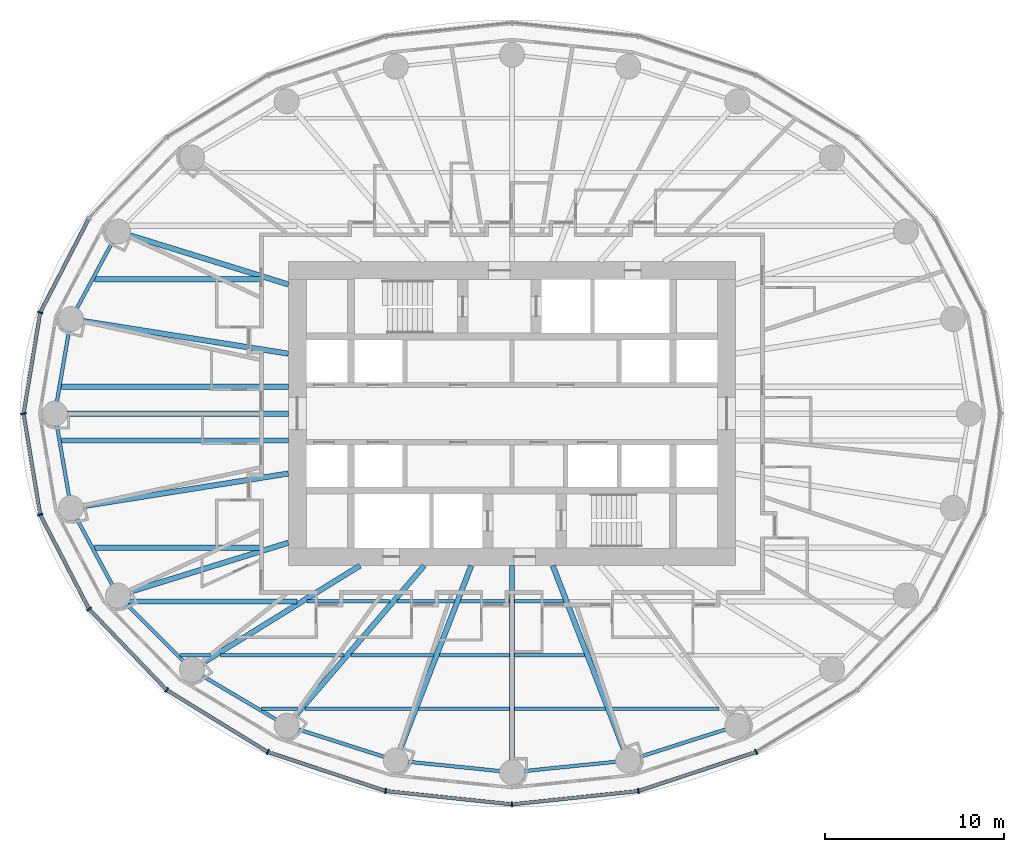
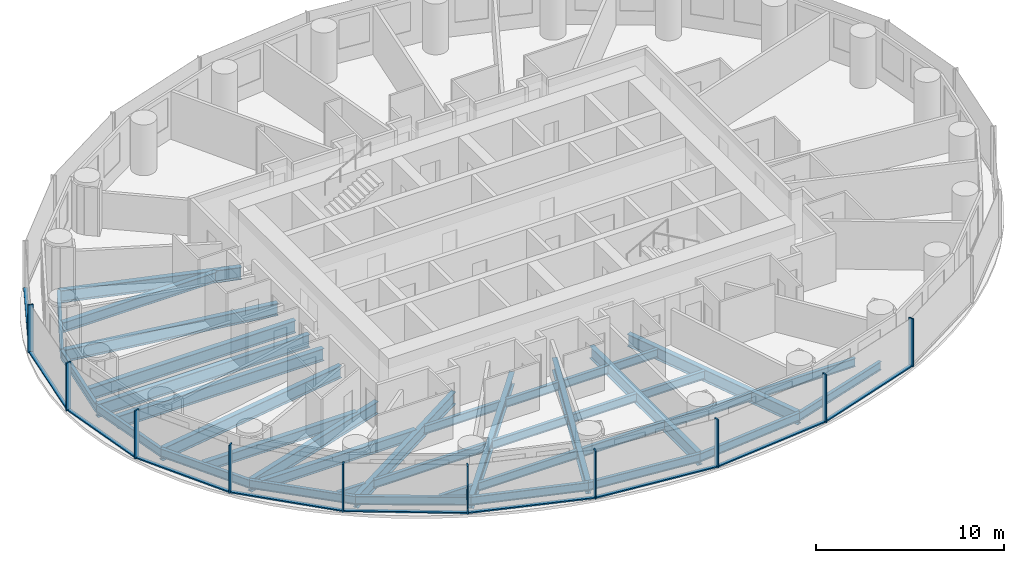
# One storey, part 2 of 14: 39 beams, 20 members, 3 elements without a shape of their own.
"""IFC4 building model written with IfcOpenShell, lengths in metres."""

from ifc_helpers import new_model, si_unit, direction, frame, origin, origin_2d, place, context, subcontext, project, spatial, rectangle, i_section, extrude, material, material_profile, profile_set, type_object, element, aggregate, save


model = new_model("IFC4")

# Units and contexts
model_context = context("Model", 3, precision=1e-05, world=origin(), true_north=direction((0.0, 1.0)))
body_context = subcontext(model_context, "Body", "Model", "MODEL_VIEW")
ifc_project = project(units=[si_unit("LENGTHUNIT", "METRE"), si_unit("AREAUNIT", "SQUARE_METRE"), si_unit("VOLUMEUNIT", "CUBIC_METRE"), si_unit("PLANEANGLEUNIT", "RADIAN"), si_unit("MASSUNIT", "GRAM", prefix="KILO")], contexts=[model_context])

# Site, building, storey
site_placement = place(None, origin())
site = spatial("IfcSite", under=ifc_project, at=site_placement, CompositionType="ELEMENT")
building_placement = place(site_placement, origin())
building = spatial("IfcBuilding", under=site, at=building_placement, Name="Hankou Lantern Tower", CompositionType="ELEMENT")
storey_placement = place(building_placement, frame((0.0, 0.0, 54.0)))
storey = spatial("IfcBuildingStorey", under=building, at=storey_placement, Name="L12", CompositionType="ELEMENT", Elevation=54.0)

# Beams
ifc_material_1 = material(Name="Steel Q355B", Category="steel")
ifc_material_profile_1 = material_profile(ifc_material_1, i_section(OverallWidth=0.199951171875, OverallDepth=0.550048828125, WebThickness=0.010009765625, FlangeThickness=0.01611328125, FilletRadius=0.012939453125, at=origin_2d()), Name="HN550x200x10x16")
ifc_profile_set_1 = profile_set([ifc_material_profile_1], Name="Steel Q355B")
beam_type_1 = type_object("IfcBeamType", Name="EB6 RING BEAM HN550x200x10x16", PredefinedType="SPANDREL", material=ifc_profile_set_1)
beam_1_placement = place(storey_placement, frame((-22.01904296875, 10.170166015625, -0.455078125), z_axis=(-0.473609096023, -0.880735161194, 0.0), x_axis=(0.880735161194, -0.473609096023, 0.0)))
element("IfcBeam", 1, at=beam_1_placement, inside=storey, type_object=beam_type_1, Name="Ring beam R11-R12 L12", PredefinedType="SPANDREL", context=body_context, shape_type="SweptSolid", body=[
    extrude(i_section(OverallWidth=0.199951171875, OverallDepth=0.550048828125, WebThickness=0.010009765625, FlangeThickness=0.01611328125, FilletRadius=0.012939453125, at=origin_2d()), origin(), (0.0, 0.0, 1.0), 5.548828125),
])
for number, where, z_axis, x_axis, name in (
    (2, (-24.64697265625, 5.283203125, -0.455078125), (-0.168489691988, -0.985703415685, 0.0), (0.985703415685, -0.168489691988, 0.0), "Ring beam R12-R13 L12"),
    (3, (-25.550048828125, 0.0, -0.455078125), (0.168489691988, -0.985703415685, 0.0), (0.985703415685, 0.168489691988, 0.0), "Ring beam R13-R14 L12"),
):
    element("IfcBeam", number, at=place(storey_placement, frame(where, z_axis=z_axis, x_axis=x_axis)), inside=storey, type_object=beam_type_1, Name=name, PredefinedType="SPANDREL", context=body_context, shape_type="SweptSolid", body=[
        extrude(i_section(OverallWidth=0.199951171875, OverallDepth=0.550048828125, WebThickness=0.010009765625, FlangeThickness=0.01611328125, FilletRadius=0.012939453125, at=origin_2d()), origin(), (0.0, 0.0, 1.0), 5.35986328125),
    ])
beam_2_placement = place(storey_placement, frame((-24.64697265625, -5.283203125, -0.455078125), z_axis=(0.473609096023, -0.880735161194, 0.0), x_axis=(0.880735161194, 0.473609096023, 0.0)))
element("IfcBeam", 4, at=beam_2_placement, inside=storey, type_object=beam_type_1, Name="Ring beam R14-R15 L12", PredefinedType="SPANDREL", context=body_context, shape_type="SweptSolid", body=[
    extrude(i_section(OverallWidth=0.199951171875, OverallDepth=0.550048828125, WebThickness=0.010009765625, FlangeThickness=0.01611328125, FilletRadius=0.012939453125, at=origin_2d()), origin(), (0.0, 0.0, 1.0), 5.548828125),
])
beam_3_placement = place(storey_placement, frame((-22.01904296875, -10.170166015625, -0.455078125), z_axis=(0.705727798394, -0.708483079949, 0.0), x_axis=(0.708483079949, 0.705727798394, 0.0)))
element("IfcBeam", 5, at=beam_3_placement, inside=storey, type_object=beam_type_1, Name="Ring beam R15-R16 L12", PredefinedType="SPANDREL", context=body_context, shape_type="SweptSolid", body=[
    extrude(i_section(OverallWidth=0.199951171875, OverallDepth=0.550048828125, WebThickness=0.010009765625, FlangeThickness=0.01611328125, FilletRadius=0.012939453125, at=origin_2d()), origin(), (0.0, 0.0, 1.0), 5.84814453125),
])
beam_4_placement = place(storey_placement, frame((-17.891845703125, -14.3134765625, -0.455078125), z_axis=(0.860881533543, -0.508805449268, 0.0), x_axis=(0.508805449268, 0.860881533543, 0.0)))
element("IfcBeam", 6, at=beam_4_placement, inside=storey, type_object=beam_type_1, Name="Ring beam R16-R17 L12", PredefinedType="SPANDREL", context=body_context, shape_type="SweptSolid", body=[
    extrude(i_section(OverallWidth=0.199951171875, OverallDepth=0.550048828125, WebThickness=0.010009765625, FlangeThickness=0.01611328125, FilletRadius=0.012939453125, at=origin_2d()), origin(), (0.0, 0.0, 1.0), 6.15771484375),
])
beam_5_placement = place(storey_placement, frame((-12.5908203125, -17.446533203125, -0.455078125), z_axis=(0.952690479428, -0.303942182671, 0.0), x_axis=(0.303942182671, 0.952690479428, 0.0)))
element("IfcBeam", 7, at=beam_5_placement, inside=storey, type_object=beam_type_1, Name="Ring beam R17-R18 L12", PredefinedType="SPANDREL", context=body_context, shape_type="SweptSolid", body=[
    extrude(i_section(OverallWidth=0.199951171875, OverallDepth=0.550048828125, WebThickness=0.010009765625, FlangeThickness=0.01611328125, FilletRadius=0.012939453125, at=origin_2d()), origin(), (0.0, 0.0, 1.0), 6.398681640625),
])
for number, where, z_axis, x_axis, name in (
    (8, (-6.494873046875, -19.391357421875, -0.455078125), (0.994896616842, -0.100899562915, 0.0), (0.100899562915, 0.994896616842, 0.0), "Ring beam R18-R19 L12"),
    (9, (0.0, -20.050048828125, -0.455078125), (0.994896616842, 0.100899562915, 0.0), (-0.100899562915, 0.994896616842, 0.0), "Ring beam R19-R20 L12"),
):
    element("IfcBeam", number, at=place(storey_placement, frame(where, z_axis=z_axis, x_axis=x_axis)), inside=storey, type_object=beam_type_1, Name=name, PredefinedType="SPANDREL", context=body_context, shape_type="SweptSolid", body=[
        extrude(i_section(OverallWidth=0.199951171875, OverallDepth=0.550048828125, WebThickness=0.010009765625, FlangeThickness=0.01611328125, FilletRadius=0.012939453125, at=origin_2d()), origin(), (0.0, 0.0, 1.0), 6.528076171875),
    ])
beam_6_placement = place(storey_placement, frame((6.494873046875, -19.391357421875, -0.455078125), z_axis=(0.952690479428, 0.303942182671, 0.0), x_axis=(-0.303942182671, 0.952690479428, 0.0)))
element("IfcBeam", 10, at=beam_6_placement, inside=storey, type_object=beam_type_1, Name="Ring beam R20-R21 L12", PredefinedType="SPANDREL", context=body_context, shape_type="SweptSolid", body=[
    extrude(i_section(OverallWidth=0.199951171875, OverallDepth=0.550048828125, WebThickness=0.010009765625, FlangeThickness=0.01611328125, FilletRadius=0.012939453125, at=origin_2d()), origin(), (0.0, 0.0, 1.0), 6.398681640625),
])

# Curtain wall, member
ifc_material_2 = material(Name="Glass, dark grey tinted laminated", Category="glass")
curtain_wall_type = type_object("IfcCurtainWallType", Name="CWA OUTER SKIN LOW-RISE", PredefinedType="USERDEFINED", material=ifc_material_2)
curtain_wall_1_placement = place(storey_placement, origin())
curtain_wall_1 = element("IfcCurtainWall", 11, at=curtain_wall_1_placement, inside=storey, type_object=curtain_wall_type, Name="CWA L12 OS2", ObjectType="OUTER SKIN LOW-RISE", PredefinedType="USERDEFINED")
ifc_material_3 = material(Name="Aluminium, black anodised", Category="aluminium")
ifc_material_profile_2 = material_profile(ifc_material_3, rectangle(XDim=0.080078125, YDim=0.300048828125, at=origin_2d()), Name="MU1 80X300")
ifc_profile_set_2 = profile_set([ifc_material_profile_2], Name="Aluminium, black anodised")
member_type_1 = type_object("IfcMemberType", Name="MU1 OUTER SKIN MULLION 80X300", PredefinedType="MULLION", material=ifc_profile_set_2)
member_1_placement = place(storey_placement, frame((-26.369873046875, 5.652587890625, 0.0), z_axis=(0.0, 0.0, 1.0), x_axis=(-0.317595577365, -0.94822626479, 0.0)))
member_1 = element("IfcMember", 12, at=member_1_placement, type_object=member_type_1, Name="CWA mullion 6", PredefinedType="MULLION", context=body_context, shape_type="SweptSolid", body=[
    extrude(rectangle(XDim=0.080078125, YDim=0.300048828125, at=origin_2d()), origin(), (0.0, 0.0, 1.0), 3.1201171875),
])

# Curtain wall, members
curtain_wall_2_placement = place(storey_placement, origin())
curtain_wall_2 = element("IfcCurtainWall", 13, at=curtain_wall_2_placement, inside=storey, type_object=curtain_wall_type, Name="CWA L12 OS3", ObjectType="OUTER SKIN LOW-RISE", PredefinedType="USERDEFINED")
member_2_placement = place(storey_placement, frame((-27.300048828125, 0.0, 0.0), z_axis=(0.0, 0.0, 1.0), x_axis=(0.162381515188, -0.986728049427, 0.0)))
member_2 = element("IfcMember", 14, at=member_2_placement, type_object=member_type_1, Name="CWA mullion 1", PredefinedType="MULLION", context=body_context, shape_type="SweptSolid", body=[
    extrude(rectangle(XDim=0.080078125, YDim=0.300048828125, at=origin_2d()), origin(), (0.0, 0.0, 1.0), 3.1201171875),
])
member_3_placement = place(storey_placement, frame((-26.369873046875, -5.652587890625, 0.0), z_axis=(0.0, 0.0, 1.0), x_axis=(0.317595577365, -0.94822626479, 0.0)))
member_3 = element("IfcMember", 15, at=member_3_placement, type_object=member_type_1, Name="CWA mullion 2", PredefinedType="MULLION", context=body_context, shape_type="SweptSolid", body=[
    extrude(rectangle(XDim=0.080078125, YDim=0.300048828125, at=origin_2d()), origin(), (0.0, 0.0, 1.0), 3.1201171875),
])
member_4_placement = place(storey_placement, frame((-23.642578125, -10.919921875, 0.0), z_axis=(0.0, 0.0, 1.0), x_axis=(0.585205735974, -0.810884854084, 0.0)))
member_4 = element("IfcMember", 16, at=member_4_placement, type_object=member_type_1, Name="CWA mullion 3", PredefinedType="MULLION", context=body_context, shape_type="SweptSolid", body=[
    extrude(rectangle(XDim=0.080078125, YDim=0.300048828125, at=origin_2d()), origin(), (0.0, 0.0, 1.0), 3.1201171875),
])
member_5_placement = place(storey_placement, frame((-19.303955078125, -15.443115234375, 0.0), z_axis=(0.0, 0.0, 1.0), x_axis=(0.780868809444, -0.624695047553, 0.0)))
member_5 = element("IfcMember", 17, at=member_5_placement, type_object=member_type_1, Name="CWA mullion 4", PredefinedType="MULLION", context=body_context, shape_type="SweptSolid", body=[
    extrude(rectangle(XDim=0.080078125, YDim=0.300048828125, at=origin_2d()), origin(), (0.0, 0.0, 1.0), 3.1201171875),
])
member_6_placement = place(storey_placement, frame((-13.64990234375, -18.9140625, 0.0), z_axis=(0.0, 0.0, 1.0), x_axis=(0.907841299004, -0.419313934686, 0.0)))
member_6 = element("IfcMember", 18, at=member_6_placement, type_object=member_type_1, Name="CWA mullion 5", PredefinedType="MULLION", context=body_context, shape_type="SweptSolid", body=[
    extrude(rectangle(XDim=0.080078125, YDim=0.300048828125, at=origin_2d()), origin(), (0.0, 0.0, 1.0), 3.1201171875),
])
member_7_placement = place(storey_placement, frame((-7.065673828125, -21.095703125, 0.0), z_axis=(0.0, 0.0, 1.0), x_axis=(0.977787659625, -0.209597931016, 0.0)))
member_7 = element("IfcMember", 19, at=member_7_placement, type_object=member_type_1, Name="CWA mullion 6", PredefinedType="MULLION", context=body_context, shape_type="SweptSolid", body=[
    extrude(rectangle(XDim=0.080078125, YDim=0.300048828125, at=origin_2d()), origin(), (0.0, 0.0, 1.0), 3.1201171875),
])

curtain_wall_3_placement = place(storey_placement, origin())
curtain_wall_3 = element("IfcCurtainWall", 20, at=curtain_wall_3_placement, inside=storey, type_object=curtain_wall_type, Name="CWA L12 OS4", ObjectType="OUTER SKIN LOW-RISE", PredefinedType="USERDEFINED")
member_8_placement = place(storey_placement, frame((0.0, -21.840087890625, 0.0), z_axis=(0.0, 0.0, 1.0), x_axis=(0.994499359107, 0.104742659579, 0.0)))
member_8 = element("IfcMember", 21, at=member_8_placement, type_object=member_type_1, Name="CWA mullion 1", PredefinedType="MULLION", context=body_context, shape_type="SweptSolid", body=[
    extrude(rectangle(XDim=0.080078125, YDim=0.300048828125, at=origin_2d()), origin(), (0.0, 0.0, 1.0), 3.1201171875),
])
member_9_placement = place(storey_placement, frame((7.065673828125, -21.095703125, 0.0), z_axis=(0.0, 0.0, 1.0), x_axis=(0.977787659625, 0.209597931016, 0.0)))
member_9 = element("IfcMember", 22, at=member_9_placement, type_object=member_type_1, Name="CWA mullion 2", PredefinedType="MULLION", context=body_context, shape_type="SweptSolid", body=[
    extrude(rectangle(XDim=0.080078125, YDim=0.300048828125, at=origin_2d()), origin(), (0.0, 0.0, 1.0), 3.1201171875),
])
member_10_placement = place(storey_placement, frame((13.64990234375, -18.9140625, 0.0), z_axis=(0.0, 0.0, 1.0), x_axis=(0.907841299004, 0.419313934686, 0.0)))
member_10 = element("IfcMember", 23, at=member_10_placement, type_object=member_type_1, Name="CWA mullion 3", PredefinedType="MULLION", context=body_context, shape_type="SweptSolid", body=[
    extrude(rectangle(XDim=0.080078125, YDim=0.300048828125, at=origin_2d()), origin(), (0.0, 0.0, 1.0), 3.1201171875),
])

# Beams
ifc_material_4 = material(Name="Steel Q355B", Category="steel")
ifc_material_profile_3 = material_profile(ifc_material_4, i_section(OverallWidth=0.300048828125, OverallDepth=0.800048828125, WebThickness=0.013916015625, FlangeThickness=0.02587890625, FilletRadius=0.01806640625, at=origin_2d()), Name="HN800x300x14x26")
ifc_profile_set_3 = profile_set([ifc_material_profile_3], Name="Steel Q355B")
beam_type_2 = type_object("IfcBeamType", Name="RB11 RADIAL BEAM HN800x300x14x26", PredefinedType="BEAM", material=ifc_profile_set_3)
beam_7_placement = place(storey_placement, frame((-12.5, 7.216796875, -0.580078125), z_axis=(-0.955087327755, 0.29632447817, 0.0), x_axis=(-0.29632447817, -0.955087327755, 0.0)))
element("IfcBeam", 24, at=beam_7_placement, inside=storey, type_object=beam_type_2, Name="Radial beam R11 L12", PredefinedType="BEAM", context=body_context, shape_type="SweptSolid", body=[
    extrude(i_section(OverallWidth=0.300048828125, OverallDepth=0.800048828125, WebThickness=0.013916015625, FlangeThickness=0.02587890625, FilletRadius=0.01806640625, at=origin_2d()), origin(), (0.0, 0.0, 1.0), 9.966552734375),
])
for number, where, z_axis, x_axis, name in (
    (25, (-12.5, 3.349365234375, -0.580078125), (-0.987563081343, 0.157223281893, 0.0), (-0.157223281893, -0.987563081343, 0.0), "Radial beam R12 L12"),
    (26, (-12.5, -3.349365234375, -0.580078125), (-0.987563081343, -0.157223281893, 0.0), (0.157223281893, -0.987563081343, 0.0), "Radial beam R14 L12"),
):
    element("IfcBeam", number, at=place(storey_placement, frame(where, z_axis=z_axis, x_axis=x_axis)), inside=storey, type_object=beam_type_2, Name=name, PredefinedType="BEAM", context=body_context, shape_type="SweptSolid", body=[
        extrude(i_section(OverallWidth=0.300048828125, OverallDepth=0.800048828125, WebThickness=0.013916015625, FlangeThickness=0.02587890625, FilletRadius=0.01806640625, at=origin_2d()), origin(), (0.0, 0.0, 1.0), 12.300048828125),
    ])
beam_8_placement = place(storey_placement, frame((-12.5, -7.216796875, -0.580078125), z_axis=(-0.955087327755, -0.29632447817, 0.0), x_axis=(0.29632447817, -0.955087327755, 0.0)))
element("IfcBeam", 27, at=beam_8_placement, inside=storey, type_object=beam_type_2, Name="Radial beam R15 L12", PredefinedType="BEAM", context=body_context, shape_type="SweptSolid", body=[
    extrude(i_section(OverallWidth=0.300048828125, OverallDepth=0.800048828125, WebThickness=0.013916015625, FlangeThickness=0.02587890625, FilletRadius=0.01806640625, at=origin_2d()), origin(), (0.0, 0.0, 1.0), 9.966552734375),
])
beam_9_placement = place(storey_placement, frame((-8.5, -8.5, -0.580078125), z_axis=(-0.850286343288, -0.526320372414, 0.0), x_axis=(0.526320372414, -0.850286343288, 0.0)))
element("IfcBeam", 28, at=beam_9_placement, inside=storey, type_object=beam_type_2, Name="Radial beam R16 L12", PredefinedType="BEAM", context=body_context, shape_type="SweptSolid", body=[
    extrude(i_section(OverallWidth=0.300048828125, OverallDepth=0.800048828125, WebThickness=0.013916015625, FlangeThickness=0.02587890625, FilletRadius=0.01806640625, at=origin_2d()), origin(), (0.0, 0.0, 1.0), 11.04541015625),
])
beam_10_placement = place(storey_placement, frame((-4.907470703125, -8.5, -0.580078125), z_axis=(-0.651519061225, -0.758632264579, 0.0), x_axis=(0.758632264579, -0.651519061225, 0.0)))
element("IfcBeam", 29, at=beam_10_placement, inside=storey, type_object=beam_type_2, Name="Radial beam R17 L12", PredefinedType="BEAM", context=body_context, shape_type="SweptSolid", body=[
    extrude(i_section(OverallWidth=0.300048828125, OverallDepth=0.800048828125, WebThickness=0.013916015625, FlangeThickness=0.02587890625, FilletRadius=0.01806640625, at=origin_2d()), origin(), (0.0, 0.0, 1.0), 11.79296875),
])
beam_11_placement = place(storey_placement, frame((-2.277587890625, -8.5, -0.580078125), z_axis=(-0.361089103374, -0.932531318201, 0.0), x_axis=(0.932531318201, -0.361089103374, 0.0)))
element("IfcBeam", 30, at=beam_11_placement, inside=storey, type_object=beam_type_2, Name="Radial beam R18 L12", PredefinedType="BEAM", context=body_context, shape_type="SweptSolid", body=[
    extrude(i_section(OverallWidth=0.300048828125, OverallDepth=0.800048828125, WebThickness=0.013916015625, FlangeThickness=0.02587890625, FilletRadius=0.01806640625, at=origin_2d()), origin(), (0.0, 0.0, 1.0), 11.679443359375),
])
beam_12_placement = place(storey_placement, frame((0.0, -8.5, -0.580078125), z_axis=(0.0, -1.0, 0.0), x_axis=(1.0, 0.0, 0.0)))
element("IfcBeam", 31, at=beam_12_placement, inside=storey, type_object=beam_type_2, Name="Radial beam R19 L12", PredefinedType="BEAM", context=body_context, shape_type="SweptSolid", body=[
    extrude(i_section(OverallWidth=0.300048828125, OverallDepth=0.800048828125, WebThickness=0.013916015625, FlangeThickness=0.02587890625, FilletRadius=0.01806640625, at=origin_2d()), origin(), (0.0, 0.0, 1.0), 11.550048828125),
])
beam_13_placement = place(storey_placement, frame((2.277587890625, -8.5, -0.580078125), z_axis=(0.361089103374, -0.932531318201, 0.0), x_axis=(0.932531318201, 0.361089103374, 0.0)))
element("IfcBeam", 32, at=beam_13_placement, inside=storey, type_object=beam_type_2, Name="Radial beam R20 L12", PredefinedType="BEAM", context=body_context, shape_type="SweptSolid", body=[
    extrude(i_section(OverallWidth=0.300048828125, OverallDepth=0.800048828125, WebThickness=0.013916015625, FlangeThickness=0.02587890625, FilletRadius=0.01806640625, at=origin_2d()), origin(), (0.0, 0.0, 1.0), 11.679443359375),
])
ifc_material_5 = material(Name="Steel Q355B", Category="steel")
ifc_material_profile_4 = material_profile(ifc_material_5, i_section(OverallWidth=0.300048828125, OverallDepth=0.85009765625, WebThickness=0.01611328125, FlangeThickness=0.027099609375, FilletRadius=0.01806640625, at=origin_2d()), Name="HN850x300x16x27")
ifc_profile_set_4 = profile_set([ifc_material_profile_4], Name="Steel Q355B")
beam_type_3 = type_object("IfcBeamType", Name="RB12 RADIAL BEAM HN850x300x16x27", PredefinedType="BEAM", material=ifc_profile_set_4)
beam_14_placement = place(storey_placement, frame((-12.5, 0.0, -0.60498046875), z_axis=(-1.0, 0.0, 0.0), x_axis=(0.0, -1.0, 0.0)))
element("IfcBeam", 33, at=beam_14_placement, inside=storey, type_object=beam_type_3, Name="Radial beam R13 L12", PredefinedType="BEAM", context=body_context, shape_type="SweptSolid", body=[
    extrude(i_section(OverallWidth=0.300048828125, OverallDepth=0.85009765625, WebThickness=0.01611328125, FlangeThickness=0.027099609375, FilletRadius=0.01806640625, at=origin_2d()), origin(), (0.0, 0.0, 1.0), 13.050048828125),
])
ifc_material_6 = material(Name="Steel Q355B", Category="steel")
ifc_material_profile_5 = material_profile(ifc_material_6, i_section(OverallWidth=0.300048828125, OverallDepth=0.800048828125, WebThickness=0.013916015625, FlangeThickness=0.02587890625, FilletRadius=0.01806640625, at=origin_2d()), Name="HN800x300x14x26")
ifc_profile_set_5 = profile_set([ifc_material_profile_5], Name="Steel Q355B")
beam_type_4 = type_object("IfcBeamType", Name="SB11 SECONDARY BEAM HN800x300x14x26", PredefinedType="JOIST", material=ifc_profile_set_5)
for number, where, z_axis, x_axis, name in (
    (34, (-25.192138671875, -1.5, -0.580078125), (1.0, 0.0, 0.0), (0.0, 1.0, 0.0), "Floor joist J029 L12"),
    (35, (-25.192138671875, 1.5, -0.580078125), (1.0, 0.0, 0.0), (0.0, 1.0, 0.0), "Floor joist J031 L12"),
):
    element("IfcBeam", number, at=place(storey_placement, frame(where, z_axis=z_axis, x_axis=x_axis)), inside=storey, type_object=beam_type_4, Name=name, PredefinedType="JOIST", context=body_context, shape_type="SweptSolid", body=[
        extrude(i_section(OverallWidth=0.300048828125, OverallDepth=0.800048828125, WebThickness=0.013916015625, FlangeThickness=0.02587890625, FilletRadius=0.01806640625, at=origin_2d()), origin(), (0.0, 0.0, 1.0), 12.692138671875),
    ])
ifc_material_7 = material(Name="Steel Q355B", Category="steel")
ifc_material_profile_6 = material_profile(ifc_material_7, i_section(OverallWidth=0.199951171875, OverallDepth=0.550048828125, WebThickness=0.010009765625, FlangeThickness=0.01611328125, FilletRadius=0.012939453125, at=origin_2d()), Name="HN550x200x10x16")
ifc_profile_set_6 = profile_set([ifc_material_profile_6], Name="Steel Q355B")
beam_type_5 = type_object("IfcBeamType", Name="SB6 SECONDARY BEAM HN550x200x10x16", PredefinedType="JOIST", material=ifc_profile_set_6)
beam_15_placement = place(storey_placement, frame((-13.99560546875, -16.5, -0.455078125), z_axis=(1.0, 0.0, 0.0), x_axis=(0.0, 1.0, 0.0)))
element("IfcBeam", 36, at=beam_15_placement, inside=storey, type_object=beam_type_5, Name="Floor joist J001 L12", PredefinedType="JOIST", context=body_context, shape_type="SweptSolid", body=[
    extrude(i_section(OverallWidth=0.199951171875, OverallDepth=0.550048828125, WebThickness=0.010009765625, FlangeThickness=0.01611328125, FilletRadius=0.012939453125, at=origin_2d()), origin(), (0.0, 0.0, 1.0), 2.019775390625),
])
beam_16_placement = place(storey_placement, frame((-11.580322265625, -16.5, -0.455078125), z_axis=(1.0, 0.0, 0.0), x_axis=(0.0, 1.0, 0.0)))
element("IfcBeam", 37, at=beam_16_placement, inside=storey, type_object=beam_type_5, Name="Floor joist J002 L12", PredefinedType="JOIST", context=body_context, shape_type="SweptSolid", body=[
    extrude(i_section(OverallWidth=0.199951171875, OverallDepth=0.550048828125, WebThickness=0.010009765625, FlangeThickness=0.01611328125, FilletRadius=0.012939453125, at=origin_2d()), origin(), (0.0, 0.0, 1.0), 6.044189453125),
])
for number, where, z_axis, x_axis, name in (
    (38, (-5.21435546875, -16.5, -0.455078125), (1.0, 0.0, 0.0), (0.0, 1.0, 0.0), "Floor joist J003 L12"),
    (39, (0.14990234375, -16.5, -0.455078125), (1.0, 0.0, 0.0), (0.0, 1.0, 0.0), "Floor joist J004 L12"),
):
    element("IfcBeam", number, at=place(storey_placement, frame(where, z_axis=z_axis, x_axis=x_axis)), inside=storey, type_object=beam_type_5, Name=name, PredefinedType="JOIST", context=body_context, shape_type="SweptSolid", body=[
        extrude(i_section(OverallWidth=0.199951171875, OverallDepth=0.550048828125, WebThickness=0.010009765625, FlangeThickness=0.01611328125, FilletRadius=0.012939453125, at=origin_2d()), origin(), (0.0, 0.0, 1.0), 5.064453125),
    ])
beam_17_placement = place(storey_placement, frame((5.5361328125, -16.5, -0.455078125), z_axis=(1.0, 0.0, 0.0), x_axis=(0.0, 1.0, 0.0)))
element("IfcBeam", 40, at=beam_17_placement, inside=storey, type_object=beam_type_5, Name="Floor joist J005 L12", PredefinedType="JOIST", context=body_context, shape_type="SweptSolid", body=[
    extrude(i_section(OverallWidth=0.199951171875, OverallDepth=0.550048828125, WebThickness=0.010009765625, FlangeThickness=0.01611328125, FilletRadius=0.012939453125, at=origin_2d()), origin(), (0.0, 0.0, 1.0), 6.044189453125),
])
beam_18_placement = place(storey_placement, frame((-18.560791015625, -13.5, -0.455078125), z_axis=(1.0, 0.0, 0.0), x_axis=(0.0, 1.0, 0.0)))
element("IfcBeam", 41, at=beam_18_placement, inside=storey, type_object=beam_type_5, Name="Floor joist J007 L12", PredefinedType="JOIST", context=body_context, shape_type="SweptSolid", body=[
    extrude(i_section(OverallWidth=0.199951171875, OverallDepth=0.550048828125, WebThickness=0.010009765625, FlangeThickness=0.01611328125, FilletRadius=0.012939453125, at=origin_2d()), origin(), (0.0, 0.0, 1.0), 1.697998046875),
])
beam_19_placement = place(storey_placement, frame((-16.292724609375, -13.5, -0.455078125), z_axis=(1.0, 0.0, 0.0), x_axis=(0.0, 1.0, 0.0)))
element("IfcBeam", 42, at=beam_19_placement, inside=storey, type_object=beam_type_5, Name="Floor joist J008 L12", PredefinedType="JOIST", context=body_context, shape_type="SweptSolid", body=[
    extrude(i_section(OverallWidth=0.199951171875, OverallDepth=0.550048828125, WebThickness=0.010009765625, FlangeThickness=0.01611328125, FilletRadius=0.012939453125, at=origin_2d()), origin(), (0.0, 0.0, 1.0), 6.893310546875),
])
beam_20_placement = place(storey_placement, frame((-9.00390625, -13.5, -0.455078125), z_axis=(1.0, 0.0, 0.0), x_axis=(0.0, 1.0, 0.0)))
element("IfcBeam", 43, at=beam_20_placement, inside=storey, type_object=beam_type_5, Name="Floor joist J009 L12", PredefinedType="JOIST", context=body_context, shape_type="SweptSolid", body=[
    extrude(i_section(OverallWidth=0.199951171875, OverallDepth=0.550048828125, WebThickness=0.010009765625, FlangeThickness=0.01611328125, FilletRadius=0.012939453125, at=origin_2d()), origin(), (0.0, 0.0, 1.0), 4.62939453125),
])
for number, where, z_axis, x_axis, name in (
    (44, (-4.052734375, -13.5, -0.455078125), (1.0, 0.0, 0.0), (0.0, 1.0, 0.0), "Floor joist J010 L12"),
    (45, (0.14990234375, -13.5, -0.455078125), (1.0, 0.0, 0.0), (0.0, 1.0, 0.0), "Floor joist J011 L12"),
):
    element("IfcBeam", number, at=place(storey_placement, frame(where, z_axis=z_axis, x_axis=x_axis)), inside=storey, type_object=beam_type_5, Name=name, PredefinedType="JOIST", context=body_context, shape_type="SweptSolid", body=[
        extrude(i_section(OverallWidth=0.199951171875, OverallDepth=0.550048828125, WebThickness=0.010009765625, FlangeThickness=0.01611328125, FilletRadius=0.012939453125, at=origin_2d()), origin(), (0.0, 0.0, 1.0), 3.90283203125),
    ])
beam_21_placement = place(storey_placement, frame((-11.446044921875, -10.5, -0.455078125), z_axis=(1.0, 0.0, 0.0), x_axis=(0.0, 1.0, 0.0)))
element("IfcBeam", 46, at=beam_21_placement, inside=storey, type_object=beam_type_5, Name="Floor joist J016 L12", PredefinedType="JOIST", context=body_context, shape_type="SweptSolid", body=[
    extrude(i_section(OverallWidth=0.199951171875, OverallDepth=0.550048828125, WebThickness=0.010009765625, FlangeThickness=0.01611328125, FilletRadius=0.012939453125, at=origin_2d()), origin(), (0.0, 0.0, 1.0), 4.623291015625),
])
beam_22_placement = place(storey_placement, frame((-6.427490234375, -10.5, -0.455078125), z_axis=(1.0, 0.0, 0.0), x_axis=(0.0, 1.0, 0.0)))
element("IfcBeam", 47, at=beam_22_placement, inside=storey, type_object=beam_type_5, Name="Floor joist J017 L12", PredefinedType="JOIST", context=body_context, shape_type="SweptSolid", body=[
    extrude(i_section(OverallWidth=0.199951171875, OverallDepth=0.550048828125, WebThickness=0.010009765625, FlangeThickness=0.01611328125, FilletRadius=0.012939453125, at=origin_2d()), origin(), (0.0, 0.0, 1.0), 3.214599609375),
])
for number, where, z_axis, x_axis, name in (
    (48, (-2.89111328125, -10.5, -0.455078125), (1.0, 0.0, 0.0), (0.0, 1.0, 0.0), "Floor joist J018 L12"),
    (49, (0.14990234375, -10.5, -0.455078125), (1.0, 0.0, 0.0), (0.0, 1.0, 0.0), "Floor joist J019 L12"),
):
    element("IfcBeam", number, at=place(storey_placement, frame(where, z_axis=z_axis, x_axis=x_axis)), inside=storey, type_object=beam_type_5, Name=name, PredefinedType="JOIST", context=body_context, shape_type="SweptSolid", body=[
        extrude(i_section(OverallWidth=0.199951171875, OverallDepth=0.550048828125, WebThickness=0.010009765625, FlangeThickness=0.01611328125, FilletRadius=0.012939453125, at=origin_2d()), origin(), (0.0, 0.0, 1.0), 2.7412109375),
    ])
ifc_material_8 = material(Name="Steel Q355B", Category="steel")
ifc_material_profile_7 = material_profile(ifc_material_8, i_section(OverallWidth=0.300048828125, OverallDepth=0.64990234375, WebThickness=0.010986328125, FlangeThickness=0.01708984375, FilletRadius=0.01806640625, at=origin_2d()), Name="HN650x300x11x17")
ifc_profile_set_7 = profile_set([ifc_material_profile_7], Name="Steel Q355B")
beam_type_6 = type_object("IfcBeamType", Name="SB8 SECONDARY BEAM HN650x300x11x17", PredefinedType="JOIST", material=ifc_profile_set_7)
beam_23_placement = place(storey_placement, frame((-21.54931640625, -10.5, -0.5048828125), z_axis=(1.0, 0.0, 0.0), x_axis=(0.0, 1.0, 0.0)))
element("IfcBeam", 50, at=beam_23_placement, inside=storey, type_object=beam_type_6, Name="Floor joist J015 L12", PredefinedType="JOIST", context=body_context, shape_type="SweptSolid", body=[
    extrude(i_section(OverallWidth=0.300048828125, OverallDepth=0.64990234375, WebThickness=0.010986328125, FlangeThickness=0.01708984375, FilletRadius=0.01806640625, at=origin_2d()), origin(), (0.0, 0.0, 1.0), 9.533203125),
])
for number, where, z_axis, x_axis, name in (
    (51, (-23.341552734375, -7.5, -0.5048828125), (1.0, 0.0, 0.0), (0.0, 1.0, 0.0), "Floor joist J023 L12"),
    (52, (-23.341552734375, 7.5, -0.5048828125), (1.0, 0.0, 0.0), (0.0, 1.0, 0.0), "Floor joist J037 L12"),
):
    element("IfcBeam", number, at=place(storey_placement, frame(where, z_axis=z_axis, x_axis=x_axis)), inside=storey, type_object=beam_type_6, Name=name, PredefinedType="JOIST", context=body_context, shape_type="SweptSolid", body=[
        extrude(i_section(OverallWidth=0.300048828125, OverallDepth=0.64990234375, WebThickness=0.010986328125, FlangeThickness=0.01708984375, FilletRadius=0.01806640625, at=origin_2d()), origin(), (0.0, 0.0, 1.0), 9.4228515625),
    ])

# Member
ifc_material_9 = material(Name="Aluminium, black anodised", Category="aluminium")
ifc_material_profile_8 = material_profile(ifc_material_9, rectangle(XDim=0.199951171875, YDim=0.080078125, at=origin_2d()), Name="TR1 200X80")
ifc_profile_set_8 = profile_set([ifc_material_profile_8], Name="Aluminium, black anodised")
member_type_2 = type_object("IfcMemberType", Name="TR1 OUTER SKIN TRANSOM 200X80", PredefinedType="USERDEFINED", material=ifc_profile_set_8)
member_11_placement = place(storey_placement, frame((-23.660888671875, 10.884521484375, 0.0400390625), z_axis=(-0.459786096495, -0.888029698529, 0.0), x_axis=(0.888029698529, -0.459786096495, 0.0)))
member_11 = element("IfcMember", 53, at=member_11_placement, type_object=member_type_2, Name="CWA transom 5", ObjectType="TRANSOM", PredefinedType="USERDEFINED", context=body_context, shape_type="SweptSolid", body=[
    extrude(rectangle(XDim=0.199951171875, YDim=0.080078125, at=origin_2d()), origin(), (0.0, 0.0, 1.0), 5.8515625),
])

member_12_placement = place(storey_placement, frame((-26.376220703125, 5.613037109375, 0.0400390625), z_axis=(-0.162387045529, -0.986727139307, 0.0), x_axis=(0.986727139307, -0.162387045529, 0.0)))
member_12 = element("IfcMember", 54, at=member_12_placement, type_object=member_type_2, Name="CWA transom 6", ObjectType="TRANSOM", PredefinedType="USERDEFINED", context=body_context, shape_type="SweptSolid", body=[
    extrude(rectangle(XDim=0.199951171875, YDim=0.080078125, at=origin_2d()), origin(), (0.0, 0.0, 1.0), 5.6484375),
])

aggregate(curtain_wall_1, [member_1, member_11, member_12])

member_13_placement = place(storey_placement, frame((-27.29345703125, -0.03955078125, 0.0400390625), z_axis=(0.162387045529, -0.986727139307, 0.0), x_axis=(0.986727139307, 0.162387045529, 0.0)))
member_13 = element("IfcMember", 55, at=member_13_placement, type_object=member_type_2, Name="CWA transom 1", ObjectType="TRANSOM", PredefinedType="USERDEFINED", context=body_context, shape_type="SweptSolid", body=[
    extrude(rectangle(XDim=0.199951171875, YDim=0.080078125, at=origin_2d()), origin(), (0.0, 0.0, 1.0), 5.6484375),
])

member_14_placement = place(storey_placement, frame((-26.351318359375, -5.688232421875, 0.0400390625), z_axis=(0.459786096495, -0.888029698529, 0.0), x_axis=(0.888029698529, 0.459786096495, 0.0)))
member_14 = element("IfcMember", 56, at=member_14_placement, type_object=member_type_2, Name="CWA transom 2", ObjectType="TRANSOM", PredefinedType="USERDEFINED", context=body_context, shape_type="SweptSolid", body=[
    extrude(rectangle(XDim=0.199951171875, YDim=0.080078125, at=origin_2d()), origin(), (0.0, 0.0, 1.0), 5.8515625),
])

member_15_placement = place(storey_placement, frame((-23.61474609375, -10.948974609375, 0.0400390625), z_axis=(0.692215537374, -0.721690827029, 0.0), x_axis=(0.721690827029, 0.692215537374, 0.0)))
member_15 = element("IfcMember", 57, at=member_15_placement, type_object=member_type_2, Name="CWA transom 3", ObjectType="TRANSOM", PredefinedType="USERDEFINED", context=body_context, shape_type="SweptSolid", body=[
    extrude(rectangle(XDim=0.199951171875, YDim=0.080078125, at=origin_2d()), origin(), (0.0, 0.0, 1.0), 6.187255859375),
])

member_16_placement = place(storey_placement, frame((-19.27001953125, -15.464111328125, 0.0400390625), z_axis=(0.85223969557, -0.523151508929, 0.0), x_axis=(0.523151508929, 0.85223969557, 0.0)))
member_16 = element("IfcMember", 58, at=member_16_placement, type_object=member_type_2, Name="CWA transom 4", ObjectType="TRANSOM", PredefinedType="USERDEFINED", context=body_context, shape_type="SweptSolid", body=[
    extrude(rectangle(XDim=0.199951171875, YDim=0.080078125, at=origin_2d()), origin(), (0.0, 0.0, 1.0), 6.554443359375),
])

member_17_placement = place(storey_placement, frame((-13.612060546875, -18.926513671875, 0.0400390625), z_axis=(0.949237318771, -0.314560825044, 0.0), x_axis=(0.314560825044, 0.949237318771, 0.0)))
member_17 = element("IfcMember", 59, at=member_17_placement, type_object=member_type_2, Name="CWA transom 5", ObjectType="TRANSOM", PredefinedType="USERDEFINED", context=body_context, shape_type="SweptSolid", body=[
    extrude(rectangle(XDim=0.199951171875, YDim=0.080078125, at=origin_2d()), origin(), (0.0, 0.0, 1.0), 6.8564453125),
])

member_18_placement = place(storey_placement, frame((-7.02587890625, -21.10009765625, 0.0400390625), z_axis=(0.994502215033, -0.104715539888, 0.0), x_axis=(0.104715539888, 0.994502215033, 0.0)))
member_18 = element("IfcMember", 60, at=member_18_placement, type_object=member_type_2, Name="CWA transom 6", ObjectType="TRANSOM", PredefinedType="USERDEFINED", context=body_context, shape_type="SweptSolid", body=[
    extrude(rectangle(XDim=0.199951171875, YDim=0.080078125, at=origin_2d()), origin(), (0.0, 0.0, 1.0), 7.024658203125),
])

aggregate(curtain_wall_2, [member_2, member_3, member_4, member_5, member_6, member_7, member_13, member_14, member_15, member_16, member_17, member_18])

member_19_placement = place(storey_placement, frame((0.039794921875, -21.835693359375, 0.0400390625), z_axis=(0.994502215033, 0.104715539888, 0.0), x_axis=(-0.104715539888, 0.994502215033, 0.0)))
member_19 = element("IfcMember", 61, at=member_19_placement, type_object=member_type_2, Name="CWA transom 1", ObjectType="TRANSOM", PredefinedType="USERDEFINED", context=body_context, shape_type="SweptSolid", body=[
    extrude(rectangle(XDim=0.199951171875, YDim=0.080078125, at=origin_2d()), origin(), (0.0, 0.0, 1.0), 7.024658203125),
])

member_20_placement = place(storey_placement, frame((7.103759765625, -21.083251953125, 0.0400390625), z_axis=(0.949237318771, 0.314560825044, 0.0), x_axis=(-0.314560825044, 0.949237318771, 0.0)))
member_20 = element("IfcMember", 62, at=member_20_placement, type_object=member_type_2, Name="CWA transom 2", ObjectType="TRANSOM", PredefinedType="USERDEFINED", context=body_context, shape_type="SweptSolid", body=[
    extrude(rectangle(XDim=0.199951171875, YDim=0.080078125, at=origin_2d()), origin(), (0.0, 0.0, 1.0), 6.8564453125),
])

aggregate(curtain_wall_3, [member_8, member_9, member_10, member_19, member_20])

save(model, "model.ifc")
